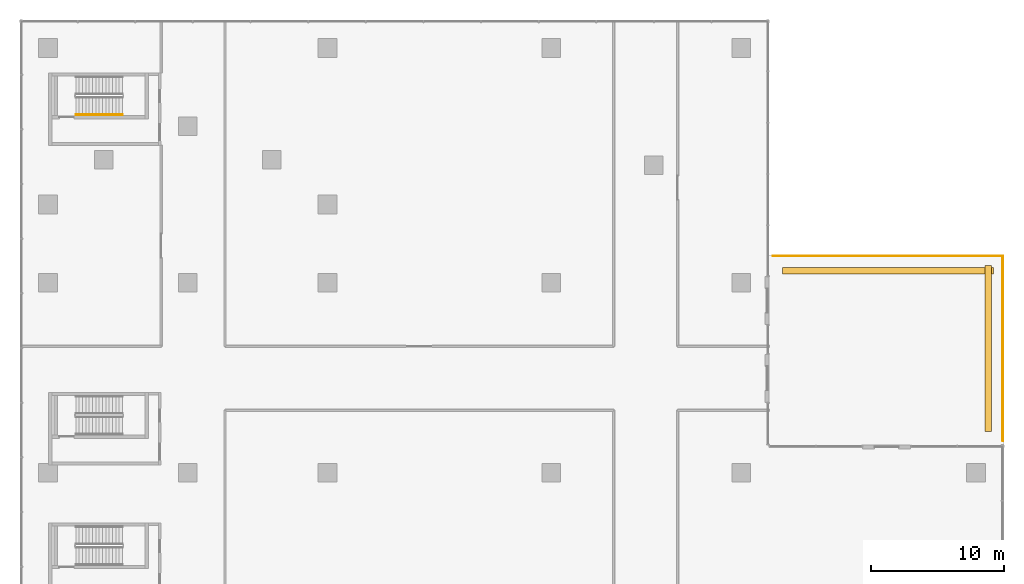
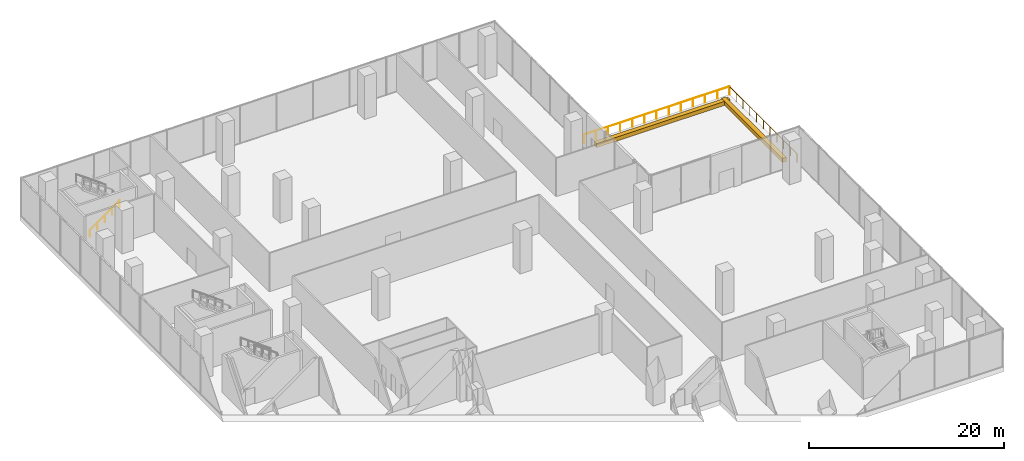
# One storey, part 22 of 23: 3 railings, 2 coverings.
"""IFC4 building model written with IfcOpenShell, lengths in metres."""

from ifc_helpers import new_model, si_unit, direction, frame, origin, origin_2d, place, context, subcontext, project, spatial, rectangle, circle, extrude, source, transform, mapped, material, type_object, element, save


model = new_model("IFC4")

# Units and contexts
model_context = context("Model", 3, precision=1e-05, world=origin(), true_north=direction((0.0, 1.0)))
body_context = subcontext(model_context, "Body", "Model", "MODEL_VIEW")
ifc_project = project(units=[si_unit("LENGTHUNIT", "METRE"), si_unit("AREAUNIT", "SQUARE_METRE"), si_unit("VOLUMEUNIT", "CUBIC_METRE"), si_unit("PLANEANGLEUNIT", "RADIAN"), si_unit("MASSUNIT", "GRAM", prefix="KILO")], contexts=[model_context])

# Site, building, storey
site_placement = place(None, origin())
site = spatial("IfcSite", under=ifc_project, at=site_placement, CompositionType="ELEMENT")
building_placement = place(site_placement, origin())
building = spatial("IfcBuilding", under=site, at=building_placement, Name="Aurelian Terraces", CompositionType="ELEMENT")
storey_placement = place(building_placement, frame((0.0, 0.0, 23.7)))
storey = spatial("IfcBuildingStorey", under=building, at=storey_placement, Name="L04", CompositionType="ELEMENT", Elevation=23.7)

# Railing
ifc_material_1 = material(Name="Anodised aluminium", Category="aluminium")
railing_type_1 = type_object("IfcRailingType", Name="GUARD-1100", PredefinedType="GUARDRAIL", material=ifc_material_1)
railing_1_placement = place(storey_placement, frame((54.48, 54.09, 0.0)))
element("IfcRailing", 1, at=railing_1_placement, inside=storey, type_object=railing_type_1, Name="Terrace guard L04 L04-X1.1", PredefinedType="GUARDRAIL", context=body_context, shape_type="SweptSolid", body=[
    extrude(circle(Radius=0.024, at=origin_2d()), frame((0.0, 0.0, 1.076), z_axis=(1.0, 0.0, 0.0), x_axis=(0.0, 1.0, 0.0)), (0.0, 0.0, 1.0), 17.25),
    extrude(circle(Radius=0.021, at=origin_2d()), origin(), (0.0, 0.0, 1.0), 1.052),
    extrude(circle(Radius=0.021, at=origin_2d()), frame((1.4375, 0.0, 0.0)), (0.0, 0.0, 1.0), 1.052),
    extrude(circle(Radius=0.021, at=origin_2d()), frame((2.875, 0.0, 0.0)), (0.0, 0.0, 1.0), 1.052),
    extrude(circle(Radius=0.021, at=origin_2d()), frame((4.3125, 0.0, 0.0)), (0.0, 0.0, 1.0), 1.052),
    extrude(circle(Radius=0.021, at=origin_2d()), frame((5.75, 0.0, 0.0)), (0.0, 0.0, 1.0), 1.052),
    extrude(circle(Radius=0.021, at=origin_2d()), frame((7.1875, 0.0, 0.0)), (0.0, 0.0, 1.0), 1.052),
    extrude(circle(Radius=0.021, at=origin_2d()), frame((8.625, 0.0, 0.0)), (0.0, 0.0, 1.0), 1.052),
    extrude(circle(Radius=0.021, at=origin_2d()), frame((10.0625, 0.0, 0.0)), (0.0, 0.0, 1.0), 1.052),
    extrude(circle(Radius=0.021, at=origin_2d()), frame((11.5, 0.0, 0.0)), (0.0, 0.0, 1.0), 1.052),
    extrude(circle(Radius=0.021, at=origin_2d()), frame((12.9375, 0.0, 0.0)), (0.0, 0.0, 1.0), 1.052),
    extrude(circle(Radius=0.021, at=origin_2d()), frame((14.375, 0.0, 0.0)), (0.0, 0.0, 1.0), 1.052),
    extrude(circle(Radius=0.021, at=origin_2d()), frame((15.8125, 0.0, 0.0)), (0.0, 0.0, 1.0), 1.052),
    extrude(circle(Radius=0.021, at=origin_2d()), frame((17.25, 0.0, 0.0)), (0.0, 0.0, 1.0), 1.052),
])

# Coverings
ifc_material_2 = material(Name="Terracotta planter with planting soil", Category="masonry")
covering_type = type_object("IfcCoveringType", Name="PLANTER-TROUGH", PredefinedType="USERDEFINED", material=ifc_material_2)
covering_1_placement = place(storey_placement, frame((63.105, 52.99, 0.0), z_axis=(0.0, 0.0, 1.0), x_axis=(1.0, 0.0, 0.0)))
element("IfcCovering", 2, at=covering_1_placement, inside=storey, type_object=covering_type, Name="PLANTER L04 terrace L04-X1-0.1", ObjectType="PLANTER", PredefinedType="USERDEFINED", context=body_context, shape_type="SweptSolid", body=[
    extrude(rectangle(XDim=15.85, YDim=0.5, at=origin_2d()), origin(), (0.0, 0.0, 1.0), 0.5),
])
shared_shape_1 = source(origin(), body_context, "Body", "SweptSolid", [
    extrude(rectangle(XDim=0.5, YDim=12.49, at=origin_2d()), origin(), (0.0, 0.0, 1.0), 0.5),
])
covering_2_placement = place(storey_placement, frame((70.63, 47.145, 0.0), z_axis=(0.0, 0.0, 1.0), x_axis=(1.0, 0.0, 0.0)))
element("IfcCovering", 3, at=covering_2_placement, inside=storey, type_object=covering_type, Name="PLANTER L04 terrace L04-X1-1.1", ObjectType="PLANTER", PredefinedType="USERDEFINED", context=body_context, shape_type="MappedRepresentation", body=[
    mapped(shared_shape_1, transform((0.0, 0.0, 0.0), scale=1.0)),
])

# Railings
shared_shape_2 = source(origin(), body_context, "Body", "SweptSolid", [
    extrude(circle(Radius=0.024, at=origin_2d()), frame((0.0, 0.0, 1.076), z_axis=(0.0, -1.0, 0.0), x_axis=(1.0, 0.0, 0.0)), (0.0, 0.0, 1.0), 13.89),
    extrude(circle(Radius=0.021, at=origin_2d()), origin(), (0.0, 0.0, 1.0), 1.052),
    extrude(circle(Radius=0.021, at=origin_2d()), frame((0.0, -1.389, 0.0)), (0.0, 0.0, 1.0), 1.052),
    extrude(circle(Radius=0.021, at=origin_2d()), frame((0.0, -2.778, 0.0)), (0.0, 0.0, 1.0), 1.052),
    extrude(circle(Radius=0.021, at=origin_2d()), frame((0.0, -4.167, 0.0)), (0.0, 0.0, 1.0), 1.052),
    extrude(circle(Radius=0.021, at=origin_2d()), frame((0.0, -5.556, 0.0)), (0.0, 0.0, 1.0), 1.052),
    extrude(circle(Radius=0.021, at=origin_2d()), frame((0.0, -6.945, 0.0)), (0.0, 0.0, 1.0), 1.052),
    extrude(circle(Radius=0.021, at=origin_2d()), frame((0.0, -8.334, 0.0)), (0.0, 0.0, 1.0), 1.052),
    extrude(circle(Radius=0.021, at=origin_2d()), frame((0.0, -9.723, 0.0)), (0.0, 0.0, 1.0), 1.052),
    extrude(circle(Radius=0.021, at=origin_2d()), frame((0.0, -11.112, 0.0)), (0.0, 0.0, 1.0), 1.052),
    extrude(circle(Radius=0.021, at=origin_2d()), frame((0.0, -12.501, 0.0)), (0.0, 0.0, 1.0), 1.052),
    extrude(circle(Radius=0.021, at=origin_2d()), frame((0.0, -13.89, 0.0)), (0.0, 0.0, 1.0), 1.052),
])
railing_2_placement = place(storey_placement, frame((71.73, 54.09, 0.0)))
element("IfcRailing", 4, at=railing_2_placement, inside=storey, type_object=railing_type_1, Name="Terrace guard L04 L04-X1.2", PredefinedType="GUARDRAIL", context=body_context, shape_type="MappedRepresentation", body=[
    mapped(shared_shape_2, transform((0.0, 0.0, 0.0), scale=1.0)),
])
ifc_material_3 = material(Name="Stainless steel", Category="steel")
railing_type_2 = type_object("IfcRailingType", Name="Stair handrail", PredefinedType="HANDRAIL", material=ifc_material_3)
shared_shape_3 = source(origin(), body_context, "Body", "SweptSolid", [
    extrude(circle(Radius=0.024, at=origin_2d()), frame((0.0, 0.0, 0.876), z_axis=(0.811534341451, 0.0, 0.584304725845), x_axis=(0.0, 1.0, 0.0)), (0.0, 0.0, 1.0), 4.3128),
    extrude(circle(Radius=0.021, at=origin_2d()), origin(), (0.0, 0.0, 1.0), 0.852),
    extrude(circle(Radius=0.021, at=origin_2d()), frame((0.875, 0.0, 0.63)), (0.0, 0.0, 1.0), 0.852),
    extrude(circle(Radius=0.021, at=origin_2d()), frame((1.75, 0.0, 1.26)), (0.0, 0.0, 1.0), 0.852),
    extrude(circle(Radius=0.021, at=origin_2d()), frame((2.625, 0.0, 1.89)), (0.0, 0.0, 1.0), 0.852),
    extrude(circle(Radius=0.021, at=origin_2d()), frame((3.5, 0.0, 2.52)), (0.0, 0.0, 1.0), 0.852),
])
railing_3_placement = place(storey_placement, frame((2.1, 64.7, 0.18)))
element("IfcRailing", 5, at=railing_3_placement, inside=storey, type_object=railing_type_2, Name="L04 S5 stair handrail 1", PredefinedType="HANDRAIL", context=body_context, shape_type="MappedRepresentation", body=[
    mapped(shared_shape_3, transform((0.0, 0.0, 0.0), scale=1.0)),
])

save(model, "model.ifc")
